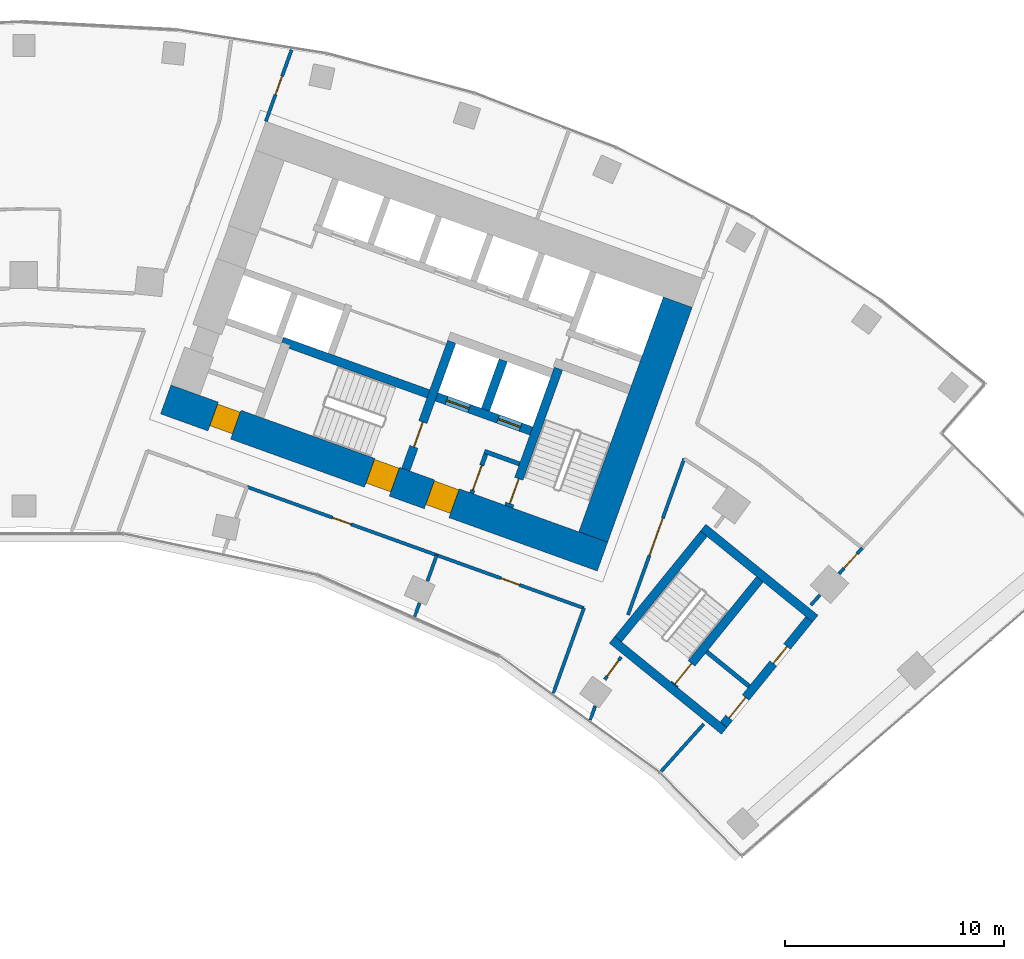
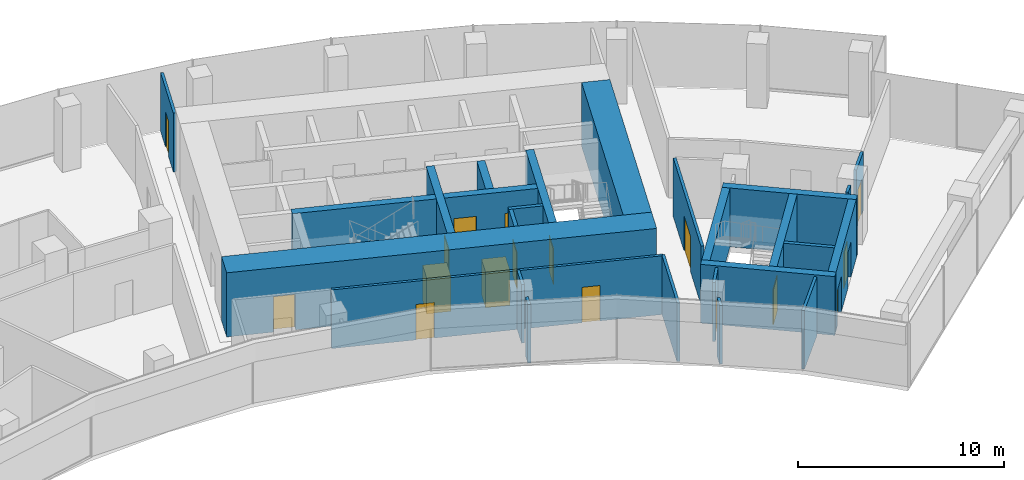
# One storey, part 16 of 20: 26 walls, 17 doors, 17 openings.
"""IFC4 building model written with IfcOpenShell, lengths in metres."""

import ifcopenshell
import ifcopenshell.guid

model = None  # the IFC model being written
_history = None  # IfcOwnerHistory: only IFC2X3 demands one
_inside = {}  # id of a spatial element -> (the spatial element, [elements in it])
_under = {}  # id of a project, library or spatial element -> (it, [spatial elements below it])
_declared = {}  # id of a project -> (the project, [libraries it declares])
_typed = {}  # id of a type object -> (the type object, [elements of that type])
_made_of = {}  # id of a material, layer set ... -> (it, [elements and type objects made of it])


def new_model(schema):
    """Start an empty IFC model of exactly this schema.

    Asked for "IFC4X3", IfcOpenShell would pick the latest addendum, in which some entities
    have other attributes; the version numbers below select the first issue.
    IFC2X3 requires an IfcOwnerHistory on every rooted entity: one is made here for all.
    """
    global model, _history
    if schema == "IFC4X3":
        model = ifcopenshell.file(schema_version=(4, 3, 0, 0))
    else:
        model = ifcopenshell.file(schema=schema)
    _inside.clear()
    _under.clear()
    _declared.clear()
    _typed.clear()
    _made_of.clear()
    _history = None
    if model.schema == "IFC2X3":
        org = make("IfcOrganization", Name="unknown")
        user = make(
            "IfcPersonAndOrganization",
            ThePerson=make("IfcPerson", FamilyName="unknown"),
            TheOrganization=org,
        )
        app = make(
            "IfcApplication",
            ApplicationDeveloper=org,
            Version="unknown",
            ApplicationFullName="unknown",
            ApplicationIdentifier="unknown",
        )
        _history = make(
            "IfcOwnerHistory",
            OwningUser=user,
            OwningApplication=app,
            ChangeAction="ADDED",
            CreationDate=0,
        )
    return model


def make(cls, **values):
    """One entity of the class cls with the attributes given. An attribute that is None is left unset."""
    return model.create_entity(
        cls, **{name: value for name, value in values.items() if value is not None}
    )


def rooted(cls, **values):
    """An entity with a GlobalId (a new one), such as an element, a storey or a relation."""
    return make(cls, GlobalId=ifcopenshell.guid.new(), OwnerHistory=_history, **values)


def si_unit(unit_type, name, prefix=None):
    """IfcSIUnit, for example si_unit("LENGTHUNIT", "METRE", prefix="MILLI")."""
    return make("IfcSIUnit", UnitType=unit_type, Prefix=prefix, Name=name)


def assignment(units):
    """IfcUnitAssignment: the units of a project."""
    return None if units is None else make("IfcUnitAssignment", Units=units)


def point(xyz):
    """IfcCartesianPoint."""
    return None if xyz is None else make("IfcCartesianPoint", Coordinates=xyz)


def direction(xyz):
    """IfcDirection."""
    return None if xyz is None else make("IfcDirection", DirectionRatios=xyz)


def frame(location, z_axis=None, x_axis=None):
    """IfcAxis2Placement3D, a coordinate frame: its origin and axes. An axis left out is left unset."""
    return make(
        "IfcAxis2Placement3D",
        Location=point(location),
        Axis=direction(z_axis),
        RefDirection=direction(x_axis),
    )


def frame_2d(location, x_axis=None):
    """IfcAxis2Placement2D, a coordinate frame in the plane: its origin and x axis."""
    return make(
        "IfcAxis2Placement2D", Location=point(location), RefDirection=direction(x_axis)
    )


def origin():
    """The frame at (0, 0, 0) with its axes left unset."""
    return frame((0.0, 0.0, 0.0))


def place(relative_to, where):
    """IfcLocalPlacement: puts the frame where relative to a parent placement (None: the world)."""
    return make(
        "IfcLocalPlacement", PlacementRelTo=relative_to, RelativePlacement=where
    )


def context(
    kind, dimensions, precision=None, world=None, true_north=None, identifier=None
):
    """IfcGeometricRepresentationContext, for example the 3D "Model" context."""
    return make(
        "IfcGeometricRepresentationContext",
        ContextIdentifier=identifier,
        ContextType=kind,
        CoordinateSpaceDimension=dimensions,
        Precision=precision,
        WorldCoordinateSystem=world,
        TrueNorth=true_north,
    )


def subcontext(parent, identifier, kind, view, scale=None):
    """IfcGeometricRepresentationSubContext, for example "Body" below "Model"."""
    return make(
        "IfcGeometricRepresentationSubContext",
        ContextIdentifier=identifier,
        ContextType=kind,
        ParentContext=parent,
        TargetScale=scale,
        TargetView=view,
    )


def project(units=None, contexts=None):
    """IfcProject with its units and contexts."""
    return rooted(
        "IfcProject",
        Name="project",
        RepresentationContexts=contexts,
        UnitsInContext=assignment(units),
    )


def spatial(cls, under=None, at=None, **own):
    """A site, building, storey or space (cls), placed at a placement, below another one or the project."""
    s = rooted(cls, ObjectPlacement=at, **own)
    if under is not None:
        _under.setdefault(under.id(), (under, []))[1].append(s)
    return s


def profile(cls, at=None, kind="AREA", **sizes):
    """A parametric profile (cls). Its sizes go by their IFC names, for example OverallWidth=200.0."""
    return make(cls, ProfileType=kind, Position=at, **sizes)


def rectangle(**sizes):
    """IfcRectangleProfileDef."""
    return profile("IfcRectangleProfileDef", **sizes)


def extrude(swept, where, along, depth):
    """IfcExtrudedAreaSolid: the profile swept, set in the frame where, extruded along a direction by depth."""
    return make(
        "IfcExtrudedAreaSolid",
        SweptArea=swept,
        Position=where,
        ExtrudedDirection=direction(along),
        Depth=depth,
    )


def shape(context_of_items, identifier, shape_type, items):
    """IfcShapeRepresentation: the items that make up one representation, for example the "Body"."""
    return make(
        "IfcShapeRepresentation",
        ContextOfItems=context_of_items,
        RepresentationIdentifier=identifier,
        RepresentationType=shape_type,
        Items=items,
    )


def material(Name=None, Category=None):
    """IfcMaterial."""
    return make("IfcMaterial", Name=Name, Category=Category)


def layer(
    of_material, thickness, ventilated=None, Name=None, Category=None, Priority=None
):
    """IfcMaterialLayer: one layer of a wall or slab, of a material (None: an air gap)."""
    return make(
        "IfcMaterialLayer",
        Material=of_material,
        LayerThickness=thickness,
        IsVentilated=ventilated,
        Name=Name,
        Category=Category,
        Priority=Priority,
    )


def layer_set(layers, Name=None):
    """IfcMaterialLayerSet."""
    return make("IfcMaterialLayerSet", MaterialLayers=layers, LayerSetName=Name)


def made_of(thing, what):
    """Note that an element or type object is made of a material, layer set ...; save() writes the relation."""
    if what is not None:
        _made_of.setdefault(what.id(), (what, []))[1].append(thing)
    return thing


def type_object(cls, material=None, **own):
    """A type object (cls), such as IfcWallType, which elements share."""
    return made_of(rooted(cls, **own), material)


def element(
    cls,
    number,
    at=None,
    inside=None,
    cuts=None,
    type_object=None,
    material=None,
    context=None,
    identifier="Body",
    shape_type=None,
    held_by="IfcProductDefinitionShape",
    body=None,
    shapes=None,
    **own,
):
    """One element of the class cls, such as IfcWall. Its Tag is "e" and its number.

    at: its placement. inside: the storey or other place that contains it. cuts: it is an
    opening in that element (IfcRelVoidsElement). A single representation is given by context,
    identifier, shape_type and body (its items); several are given by shapes. held_by: the class
    of the entity that holds the representations. save() writes the other relations.
    """
    e = rooted(cls, Tag="e%d" % number, ObjectPlacement=at, **own)
    if body is not None:
        shapes = [shape(context, identifier, shape_type, body)]
    if shapes is not None:
        e.Representation = make(held_by, Representations=shapes)
    if inside is not None:
        _inside.setdefault(inside.id(), (inside, []))[1].append(e)
    if cuts is not None:
        rooted(
            "IfcRelVoidsElement", RelatingBuildingElement=cuts, RelatedOpeningElement=e
        )
    if type_object is not None:
        _typed.setdefault(type_object.id(), (type_object, []))[1].append(e)
    return made_of(e, material)


def fill(opening, filler):
    """IfcRelFillsElement: the door or window that sits in an opening."""
    return rooted(
        "IfcRelFillsElement",
        RelatingOpeningElement=opening,
        RelatedBuildingElement=filler,
    )


def aggregate(whole, parts):
    """IfcRelAggregates: a whole, such as a stair, and the parts it consists of."""
    return rooted("IfcRelAggregates", RelatingObject=whole, RelatedObjects=parts)


def save(model, path):
    """Write the relations noted so far, then the file.

    IfcRelAggregates (storeys below a building ...), IfcRelContainedInSpatialStructure (elements
    in a storey), IfcRelDefinesByType, IfcRelAssociatesMaterial and IfcRelDeclares: one each for
    every whole, place, type object, material and project.
    """
    for whole, parts in _under.values():
        aggregate(whole, parts)
    for where, things in _inside.values():
        rooted(
            "IfcRelContainedInSpatialStructure",
            RelatedElements=things,
            RelatingStructure=where,
        )
    for kind, things in _typed.values():
        rooted("IfcRelDefinesByType", RelatedObjects=things, RelatingType=kind)
    for what, things in _made_of.values():
        rooted("IfcRelAssociatesMaterial", RelatedObjects=things, RelatingMaterial=what)
    for by, libraries in _declared.values():
        rooted("IfcRelDeclares", RelatingContext=by, RelatedDefinitions=libraries)
    model.write(path)


model = new_model("IFC4")

# Units and contexts
model_context = context("Model", 3, precision=1e-05, world=origin(), true_north=direction((0.0, 1.0)))
body_context = subcontext(model_context, "Body", "Model", "MODEL_VIEW")
ifc_project = project(units=[si_unit("LENGTHUNIT", "METRE"), si_unit("AREAUNIT", "SQUARE_METRE"), si_unit("VOLUMEUNIT", "CUBIC_METRE"), si_unit("PLANEANGLEUNIT", "RADIAN"), si_unit("MASSUNIT", "GRAM", prefix="KILO")], contexts=[model_context])

# Site, building, storey
site_placement = place(None, origin())
site = spatial("IfcSite", under=ifc_project, at=site_placement, CompositionType="ELEMENT")
building_placement = place(site_placement, origin())
building = spatial("IfcBuilding", under=site, at=building_placement, Name="Stone Belt Terrace Tower", CompositionType="ELEMENT")
storey_placement = place(building_placement, frame((0.0, 0.0, 174.39990234375)))
storey = spatial("IfcBuildingStorey", under=building, at=storey_placement, Name="L42", CompositionType="ELEMENT", Elevation=174.39990234375)

# Wall, openings, doors
ifc_material_1 = material(Name="Concrete B80", Category="concrete")
ifc_layer_1 = layer(ifc_material_1, 1.39990234375)
ifc_layer_set_1 = layer_set([ifc_layer_1], Name="Core wall 1400 B80")
wall_type_1 = type_object("IfcWallType", Name="Core wall 1400 B80", PredefinedType="SHEAR", material=ifc_layer_set_1)
wall_1_placement = place(storey_placement, frame((6.4833984375, 49.318115234375, 0.0), z_axis=(0.0, 0.0, 1.0), x_axis=(0.940923374003, -0.33861955681, 0.0)))
wall_1 = element("IfcWall", 1, at=wall_1_placement, inside=storey, type_object=wall_type_1, Name="Core B wall concave L42", PredefinedType="SHEAR", context=body_context, shape_type="SweptSolid", body=[
    extrude(rectangle(XDim=21.199951171875, YDim=1.39990234375, at=frame_2d((10.60009765625, 0.0))), origin(), (0.0, 0.0, 1.0), 3.800048828125),
])
opening_1_placement = place(wall_1_placement, frame((12.800048828125, 0.0, 0.0)))
opening_1 = element("IfcOpeningElement", 2, at=opening_1_placement, cuts=wall_1, Name="Opening L42-C18", PredefinedType="OPENING", context=body_context, shape_type="SweptSolid", body=[
    extrude(rectangle(XDim=1.199951171875, YDim=2.10009765625, at=frame_2d((0.60009765625, 1.050048828125))), frame((0.0, 0.7099609375, 0.0), z_axis=(0.0, -1.0, 0.0), x_axis=(1.0, 0.0, 0.0)), (0.0, 0.0, 1.0), 1.419921875),
])
opening_2_placement = place(wall_1_placement, frame((9.89990234375, 0.0, 0.0)))
opening_2 = element("IfcOpeningElement", 3, at=opening_2_placement, cuts=wall_1, Name="Opening L42-C20", PredefinedType="OPENING", context=body_context, shape_type="SweptSolid", body=[
    extrude(rectangle(XDim=1.199951171875, YDim=2.10009765625, at=frame_2d((0.60009765625, 1.050048828125))), frame((0.0, 0.7099609375, 0.0), z_axis=(0.0, -1.0, 0.0), x_axis=(1.0, 0.0, 0.0)), (0.0, 0.0, 1.0), 1.419921875),
])
opening_3_placement = place(wall_1_placement, frame((2.300048828125, 0.0, 0.0)))
opening_3 = element("IfcOpeningElement", 4, at=opening_3_placement, cuts=wall_1, Name="Opening L42-C22", PredefinedType="OPENING", context=body_context, shape_type="SweptSolid", body=[
    extrude(rectangle(XDim=1.10009765625, YDim=2.10009765625, at=frame_2d((0.550048828125, 1.050048828125))), frame((0.0, 0.7099609375, 0.0), z_axis=(0.0, -1.0, 0.0), x_axis=(1.0, 0.0, 0.0)), (0.0, 0.0, 1.0), 1.419921875),
])
ifc_material_2 = material(Name="Timber door leaf", Category="wood")
door_type_1 = type_object("IfcDoorType", Name="Core room door 1100", OperationType="SINGLE_SWING_LEFT", PredefinedType="DOOR", material=ifc_material_2)
door_1_placement = place(opening_3_placement, origin())
door_1 = element("IfcDoor", 5, at=door_1_placement, inside=storey, type_object=door_type_1, Name="Door to Pipe riser core B", OperationType="SINGLE_SWING_RIGHT", OverallHeight=2.10009765625, OverallWidth=1.10009765625, PredefinedType="DOOR", context=body_context, shape_type="SweptSolid", body=[
    extrude(rectangle(XDim=1.10009765625, YDim=2.10009765625, at=frame_2d((0.550048828125, 1.050048828125))), frame((0.0, 0.60498046875, 0.0), z_axis=(0.0, -1.0, 0.0), x_axis=(1.0, 0.0, 0.0)), (0.0, 0.0, 1.0), 1.050048828125),
])
fill(opening_3, door_1)
ifc_material_3 = material(Name="Steel door leaf", Category="steel")
door_type_2 = type_object("IfcDoorType", Name="Fire-fighting lobby door 1200", OperationType="SINGLE_SWING_LEFT", PredefinedType="DOOR", material=ifc_material_3)
door_2_placement = place(opening_1_placement, origin())
door_2 = element("IfcDoor", 6, at=door_2_placement, inside=storey, type_object=door_type_2, Name="Fire-fighting lobby door core B", OperationType="SINGLE_SWING_RIGHT", OverallHeight=2.10009765625, OverallWidth=1.199951171875, PredefinedType="DOOR", context=body_context, shape_type="SweptSolid", body=[
    extrude(rectangle(XDim=1.199951171875, YDim=2.10009765625, at=frame_2d((0.60009765625, 1.050048828125))), frame((0.0, 0.655029296875, 0.0), z_axis=(0.0, -1.0, 0.0), x_axis=(1.0, 0.0, 0.0)), (0.0, 0.0, 1.0), 1.14990234375),
])
fill(opening_1, door_2)
door_type_3 = type_object("IfcDoorType", Name="Stair door 1200", OperationType="SINGLE_SWING_LEFT", PredefinedType="DOOR", material=ifc_material_3)
door_3_placement = place(opening_2_placement, origin())
door_3 = element("IfcDoor", 7, at=door_3_placement, inside=storey, type_object=door_type_3, Name="Stair 2 exit door core B", OperationType="SINGLE_SWING_LEFT", OverallHeight=2.10009765625, OverallWidth=1.199951171875, PredefinedType="DOOR", context=body_context, shape_type="SweptSolid", body=[
    extrude(rectangle(XDim=1.199951171875, YDim=2.10009765625, at=frame_2d((0.60009765625, 1.050048828125))), frame((0.0, 0.655029296875, 0.0), z_axis=(0.0, -1.0, 0.0), x_axis=(1.0, 0.0, 0.0)), (0.0, 0.0, 1.0), 1.14990234375),
])
fill(opening_2, door_3)

# Walls
wall_2_placement = place(storey_placement, frame((26.00927734375, 43.03515625, 0.0), z_axis=(0.0, 0.0, 1.0), x_axis=(0.338625431531, 0.940921259788, 0.0)))
element("IfcWall", 8, at=wall_2_placement, inside=storey, type_object=wall_type_1, Name="Core B wall end_b L42", PredefinedType="SHEAR", context=body_context, shape_type="SweptSolid", body=[
    extrude(rectangle(XDim=11.400146484375, YDim=1.39990234375, at=frame_2d((5.7001953125, 0.0))), origin(), (0.0, 0.0, 1.0), 3.800048828125),
])
ifc_layer_2 = layer(ifc_material_1, 0.39990234375)
ifc_layer_set_2 = layer_set([ifc_layer_2], Name="Fire-fighting lift shaft wall 400")
wall_type_2 = type_object("IfcWallType", Name="Fire-fighting lift shaft wall 400", PredefinedType="SHEAR", material=ifc_layer_set_2)
wall_3_placement = place(storey_placement, frame((21.0859375, 48.845458984375, 0.0), z_axis=(0.0, 0.0, 1.0), x_axis=(0.338629416206, 0.940919825745, 0.0)))
element("IfcWall", 9, at=wall_3_placement, inside=storey, type_object=wall_type_2, Name="Core B wall", PredefinedType="SHEAR", context=body_context, shape_type="SweptSolid", body=[
    extrude(rectangle(XDim=2.400146484375, YDim=0.39990234375, at=frame_2d((1.2001953125, 0.0))), origin(), (0.0, 0.0, 1.0), 3.47998046875),
])

# Wall, opening, door
ifc_material_4 = material(Name="Gypsum board partition")
ifc_layer_3 = layer(ifc_material_4, 0.14990234375)
ifc_layer_set_3 = layer_set([ifc_layer_3], Name="PARTITION 150 EI 60")
wall_type_3 = type_object("IfcWallType", Name="PARTITION 150 EI 60", PredefinedType="PARTITIONING", material=ifc_layer_set_3)
wall_4_placement = place(storey_placement, frame((12.23486328125, 65.296142578125, 0.0), z_axis=(0.0, 0.0, 1.0), x_axis=(-0.338942963923, -0.940806923448, 0.0)))
wall_4 = element("IfcWall", 10, at=wall_4_placement, inside=storey, type_object=wall_type_3, Name="L42/wall/i022", PredefinedType="PARTITIONING", context=body_context, shape_type="SweptSolid", body=[
    extrude(rectangle(XDim=3.481201171875, YDim=0.14990234375, at=frame_2d((1.74072265625, 0.0))), origin(), (0.0, 0.0, 1.0), 3.47998046875),
])
opening_4_placement = place(wall_4_placement, frame((1.29052734375, 0.0, 0.0)))
opening_4 = element("IfcOpeningElement", 11, at=opening_4_placement, cuts=wall_4, Name="Opening D-C3-09", PredefinedType="OPENING", context=body_context, shape_type="SweptSolid", body=[
    extrude(rectangle(XDim=0.89990234375, YDim=2.10009765625, at=frame_2d((0.449951171875, 1.050048828125))), frame((0.0, 0.0849609375, 0.0), z_axis=(0.0, -1.0, 0.0), x_axis=(1.0, 0.0, 0.0)), (0.0, 0.0, 1.0), 0.169921875),
])
door_type_4 = type_object("IfcDoorType", Name="OFFICE DOOR 900 X 2100", OperationType="NOTDEFINED", PredefinedType="DOOR", material=ifc_material_2)
door_4_placement = place(opening_4_placement, origin())
door_4 = element("IfcDoor", 12, at=door_4_placement, inside=storey, type_object=door_type_4, Name="L42/door/i09", OperationType="SINGLE_SWING_RIGHT", OverallHeight=2.10009765625, OverallWidth=0.89990234375, PredefinedType="DOOR", context=body_context, shape_type="SweptSolid", body=[
    extrude(rectangle(XDim=0.89990234375, YDim=2.10009765625, at=frame_2d((0.449951171875, 1.050048828125))), frame((0.0, 0.02490234375, 0.0), z_axis=(0.0, -1.0, 0.0), x_axis=(1.0, 0.0, 0.0)), (0.0, 0.0, 1.0), 0.050048828125),
])
fill(opening_4, door_4)

# Wall
wall_5_placement = place(storey_placement, frame((24.18603515625, 35.902099609375, 0.0), z_axis=(0.0, 0.0, 1.0), x_axis=(0.338545933013, 0.940949866486, 0.0)))
element("IfcWall", 13, at=wall_5_placement, inside=storey, type_object=wall_type_3, Name="L42/wall/i026", PredefinedType="PARTITIONING", context=body_context, shape_type="SweptSolid", body=[
    extrude(rectangle(XDim=4.135009765625, YDim=0.14990234375, at=frame_2d((2.0673828125, 0.0))), origin(), (0.0, 0.0, 1.0), 3.47998046875),
])

# Wall, opening, door
wall_6_placement = place(storey_placement, frame((30.1669921875, 46.612060546875, 0.0), z_axis=(0.0, 0.0, 1.0), x_axis=(-0.338694393991, -0.940896438233, 0.0)))
wall_6 = element("IfcWall", 14, at=wall_6_placement, inside=storey, type_object=wall_type_3, Name="L42/wall/i028", PredefinedType="PARTITIONING", context=body_context, shape_type="SweptSolid", body=[
    extrude(rectangle(XDim=7.585205078125, YDim=0.14990234375, at=frame_2d((3.79248046875, 0.0))), origin(), (0.0, 0.0, 1.0), 3.47998046875),
])
opening_5_placement = place(wall_6_placement, frame((2.892578125, 0.0, 0.0)))
opening_5 = element("IfcOpeningElement", 15, at=opening_5_placement, cuts=wall_6, Name="Opening D-C3-20", PredefinedType="OPENING", context=body_context, shape_type="SweptSolid", body=[
    extrude(rectangle(XDim=1.800048828125, YDim=2.10009765625, at=frame_2d((0.89990234375, 1.050048828125))), frame((0.0, 0.0849609375, 0.0), z_axis=(0.0, -1.0, 0.0), x_axis=(1.0, 0.0, 0.0)), (0.0, 0.0, 1.0), 0.169921875),
])
door_type_5 = type_object("IfcDoorType", Name="DOUBLE DOOR 1800 X 2100", OperationType="DOUBLE_DOOR_SINGLE_SWING", PredefinedType="DOOR", material=ifc_material_2)
door_5_placement = place(opening_5_placement, origin())
door_5 = element("IfcDoor", 16, at=door_5_placement, inside=storey, type_object=door_type_5, Name="L42/door/i20", OperationType="DOUBLE_DOOR_SINGLE_SWING", OverallHeight=2.10009765625, OverallWidth=1.800048828125, PredefinedType="DOOR", context=body_context, shape_type="SweptSolid", body=[
    extrude(rectangle(XDim=1.800048828125, YDim=2.10009765625, at=frame_2d((0.89990234375, 1.050048828125))), frame((0.0, 0.02490234375, 0.0), z_axis=(0.0, -1.0, 0.0), x_axis=(1.0, 0.0, 0.0)), (0.0, 0.0, 1.0), 0.050048828125),
])
fill(opening_5, door_5)

wall_7_placement = place(storey_placement, frame((27.282958984375, 37.552001953125, 0.0), z_axis=(0.0, 0.0, 1.0), x_axis=(-0.587851817093, -0.808968628032, 0.0)))
wall_7 = element("IfcWall", 17, at=wall_7_placement, inside=storey, type_object=wall_type_3, Name="L42/wall/i029", PredefinedType="PARTITIONING", context=body_context, shape_type="SweptSolid", body=[
    extrude(rectangle(XDim=1.270751953125, YDim=0.14990234375, at=frame_2d((0.63525390625, 0.0))), origin(), (0.0, 0.0, 1.0), 3.47998046875),
])
opening_6_placement = place(wall_7_placement, frame((0.185302734375, 0.0, 0.0)))
opening_6 = element("IfcOpeningElement", 18, at=opening_6_placement, cuts=wall_7, Name="Opening D-C3-21", PredefinedType="OPENING", context=body_context, shape_type="SweptSolid", body=[
    extrude(rectangle(XDim=0.89990234375, YDim=2.10009765625, at=frame_2d((0.449951171875, 1.050048828125))), frame((0.0, 0.0849609375, 0.0), z_axis=(0.0, -1.0, 0.0), x_axis=(1.0, 0.0, 0.0)), (0.0, 0.0, 1.0), 0.169921875),
])
ifc_material_5 = material(Name="Timber fire door leaf", Category="wood")
door_type_6 = type_object("IfcDoorType", Name="TENANCY ENTRANCE DOOR 900 X 2100", OperationType="NOTDEFINED", PredefinedType="DOOR", material=ifc_material_5)
door_6_placement = place(opening_6_placement, origin())
door_6 = element("IfcDoor", 19, at=door_6_placement, inside=storey, type_object=door_type_6, Name="L42/door/i21", OperationType="SINGLE_SWING_RIGHT", OverallHeight=2.10009765625, OverallWidth=0.89990234375, PredefinedType="DOOR", context=body_context, shape_type="SweptSolid", body=[
    extrude(rectangle(XDim=0.89990234375, YDim=2.10009765625, at=frame_2d((0.449951171875, 1.050048828125))), frame((0.0, 0.02490234375, 0.0), z_axis=(0.0, -1.0, 0.0), x_axis=(1.0, 0.0, 0.0)), (0.0, 0.0, 1.0), 0.050048828125),
])
fill(opening_6, door_6)

# Wall
wall_8_placement = place(storey_placement, frame((26.101318359375, 35.318115234375, 0.0), z_axis=(0.0, 0.0, 1.0), x_axis=(-0.339176971689, -0.940722584972, 0.0)))
element("IfcWall", 20, at=wall_8_placement, inside=storey, type_object=wall_type_3, Name="L42/wall/i030", PredefinedType="PARTITIONING", context=body_context, shape_type="SweptSolid", body=[
    extrude(rectangle(XDim=0.68017578125, YDim=0.14990234375, at=frame_2d((0.340087890625, 0.0))), origin(), (0.0, 0.0, 1.0), 3.47998046875),
])

# Wall, opening, door
wall_9_placement = place(storey_placement, frame((18.867919921875, 42.2041015625, 0.0), z_axis=(0.0, 0.0, 1.0), x_axis=(-0.940925552153, 0.338613504317, 0.0)))
wall_9 = element("IfcWall", 21, at=wall_9_placement, inside=storey, type_object=wall_type_3, Name="L42/wall/i033", PredefinedType="PARTITIONING", context=body_context, shape_type="SweptSolid", body=[
    extrude(rectangle(XDim=9.219482421875, YDim=0.14990234375, at=frame_2d((4.60986328125, 0.0))), origin(), (0.0, 0.0, 1.0), 3.47998046875),
])
opening_7_placement = place(wall_9_placement, frame((4.159912109375, 0.0, 0.0)))
opening_7 = element("IfcOpeningElement", 22, at=opening_7_placement, cuts=wall_9, Name="Opening D-C3-07", PredefinedType="OPENING", context=body_context, shape_type="SweptSolid", body=[
    extrude(rectangle(XDim=0.89990234375, YDim=2.10009765625, at=frame_2d((0.449951171875, 1.050048828125))), frame((0.0, 0.0849609375, 0.0), z_axis=(0.0, -1.0, 0.0), x_axis=(1.0, 0.0, 0.0)), (0.0, 0.0, 1.0), 0.169921875),
])
door_7_placement = place(opening_7_placement, origin())
door_7 = element("IfcDoor", 23, at=door_7_placement, inside=storey, type_object=door_type_4, Name="L42/door/i07", OperationType="SINGLE_SWING_RIGHT", OverallHeight=2.10009765625, OverallWidth=0.89990234375, PredefinedType="DOOR", context=body_context, shape_type="SweptSolid", body=[
    extrude(rectangle(XDim=0.89990234375, YDim=2.10009765625, at=frame_2d((0.449951171875, 1.050048828125))), frame((0.0, 0.02490234375, 0.0), z_axis=(0.0, -1.0, 0.0), x_axis=(1.0, 0.0, 0.0)), (0.0, 0.0, 1.0), 0.050048828125),
])
fill(opening_7, door_7)

wall_10_placement = place(storey_placement, frame((25.583984375, 39.787109375, 0.0), z_axis=(0.0, 0.0, 1.0), x_axis=(-0.940940502456, 0.338571958138, 0.0)))
wall_10 = element("IfcWall", 24, at=wall_10_placement, inside=storey, type_object=wall_type_3, Name="L42/wall/i034", PredefinedType="PARTITIONING", context=body_context, shape_type="SweptSolid", body=[
    extrude(rectangle(XDim=7.150390625, YDim=0.14990234375, at=frame_2d((3.5751953125, 0.0))), origin(), (0.0, 0.0, 1.0), 3.47998046875),
])
opening_8_placement = place(wall_10_placement, frame((3.125244140625, 0.0, 0.0)))
opening_8 = element("IfcOpeningElement", 25, at=opening_8_placement, cuts=wall_10, Name="Opening D-C3-08", PredefinedType="OPENING", context=body_context, shape_type="SweptSolid", body=[
    extrude(rectangle(XDim=0.89990234375, YDim=2.10009765625, at=frame_2d((0.449951171875, 1.050048828125))), frame((0.0, 0.0849609375, 0.0), z_axis=(0.0, -1.0, 0.0), x_axis=(1.0, 0.0, 0.0)), (0.0, 0.0, 1.0), 0.169921875),
])
door_8_placement = place(opening_8_placement, origin())
door_8 = element("IfcDoor", 26, at=door_8_placement, inside=storey, type_object=door_type_4, Name="L42/door/i08", OperationType="SINGLE_SWING_RIGHT", OverallHeight=2.10009765625, OverallWidth=0.89990234375, PredefinedType="DOOR", context=body_context, shape_type="SweptSolid", body=[
    extrude(rectangle(XDim=0.89990234375, YDim=2.10009765625, at=frame_2d((0.449951171875, 1.050048828125))), frame((0.0, 0.02490234375, 0.0), z_axis=(0.0, -1.0, 0.0), x_axis=(1.0, 0.0, 0.0)), (0.0, 0.0, 1.0), 0.050048828125),
])
fill(opening_8, door_8)

# Walls
wall_11_placement = place(storey_placement, frame((18.862060546875, 42.2060546875, 0.0), z_axis=(0.0, 0.0, 1.0), x_axis=(-0.33862320922, -0.940922059566, 0.0)))
element("IfcWall", 27, at=wall_11_placement, inside=storey, type_object=wall_type_3, Name="L42/wall/i037", PredefinedType="PARTITIONING", context=body_context, shape_type="SweptSolid", body=[
    extrude(rectangle(XDim=1.25732421875, YDim=0.14990234375, at=frame_2d((0.628662109375, 0.0))), origin(), (0.0, 0.0, 1.0), 3.47998046875),
])
wall_12_placement = place(storey_placement, frame((18.076416015625, 40.022705078125, 0.0), z_axis=(0.0, 0.0, 1.0), x_axis=(-0.338508237964, -0.940963427998, 0.0)))
element("IfcWall", 28, at=wall_12_placement, inside=storey, type_object=wall_type_3, Name="L42/wall/i038", PredefinedType="PARTITIONING", context=body_context, shape_type="SweptSolid", body=[
    extrude(rectangle(XDim=0.65478515625, YDim=0.14990234375, at=frame_2d((0.327392578125, 0.0))), origin(), (0.0, 0.0, 1.0), 3.47998046875),
])
wall_13_placement = place(storey_placement, frame((35.946044921875, 39.922119140625, 0.0), z_axis=(0.0, 0.0, 1.0), x_axis=(0.669202254409, 0.743080307028, 0.0)))
element("IfcWall", 29, at=wall_13_placement, inside=storey, type_object=wall_type_3, Name="L42/wall/i062", PredefinedType="PARTITIONING", context=body_context, shape_type="SweptSolid", body=[
    extrude(rectangle(XDim=0.62451171875, YDim=0.14990234375, at=frame_2d((0.312255859375, 0.0))), origin(), (0.0, 0.0, 1.0), 3.47998046875),
])

# Wall, opening, door
wall_14_placement = place(storey_placement, frame((38.294921875, 42.530029296875, 0.0), z_axis=(0.0, 0.0, 1.0), x_axis=(-0.669255825658, -0.743032058408, 0.0)))
wall_14 = element("IfcWall", 30, at=wall_14_placement, inside=storey, type_object=wall_type_3, Name="L42/wall/i063", PredefinedType="PARTITIONING", context=body_context, shape_type="SweptSolid", body=[
    extrude(rectangle(XDim=1.5751953125, YDim=0.14990234375, at=frame_2d((0.78759765625, 0.0))), origin(), (0.0, 0.0, 1.0), 3.47998046875),
])
opening_9_placement = place(wall_14_placement, frame((0.337646484375, 0.0, 0.0)))
opening_9 = element("IfcOpeningElement", 31, at=opening_9_placement, cuts=wall_14, Name="Opening D-C3-19", PredefinedType="OPENING", context=body_context, shape_type="SweptSolid", body=[
    extrude(rectangle(XDim=0.89990234375, YDim=2.10009765625, at=frame_2d((0.449951171875, 1.050048828125))), frame((0.0, 0.0849609375, 0.0), z_axis=(0.0, -1.0, 0.0), x_axis=(1.0, 0.0, 0.0)), (0.0, 0.0, 1.0), 0.169921875),
])
door_9_placement = place(opening_9_placement, origin())
door_9 = element("IfcDoor", 32, at=door_9_placement, inside=storey, type_object=door_type_6, Name="L42/door/i19", OperationType="SINGLE_SWING_RIGHT", OverallHeight=2.10009765625, OverallWidth=0.89990234375, PredefinedType="DOOR", context=body_context, shape_type="SweptSolid", body=[
    extrude(rectangle(XDim=0.89990234375, YDim=2.10009765625, at=frame_2d((0.449951171875, 1.050048828125))), frame((0.0, 0.02490234375, 0.0), z_axis=(0.0, -1.0, 0.0), x_axis=(1.0, 0.0, 0.0)), (0.0, 0.0, 1.0), 0.050048828125),
])
fill(opening_9, door_9)

# Walls
wall_15_placement = place(storey_placement, frame((29.107177734375, 32.32666015625, 0.0), z_axis=(0.0, 0.0, 1.0), x_axis=(0.669108362487, 0.743164853347, 0.0)))
element("IfcWall", 33, at=wall_15_placement, inside=storey, type_object=wall_type_3, Name="L42/wall/i064", PredefinedType="PARTITIONING", context=body_context, shape_type="SweptSolid", body=[
    extrude(rectangle(XDim=2.910888671875, YDim=0.14990234375, at=frame_2d((1.45556640625, 0.0))), origin(), (0.0, 0.0, 1.0), 3.47998046875),
])
ifc_material_6 = material(Name="Concrete masonry block", Category="masonry")
ifc_layer_4 = layer(ifc_material_6, 0.199951171875)
ifc_layer_set_4 = layer_set([ifc_layer_4], Name="Rated lobby wall 200")
wall_type_4 = type_object("IfcWallType", Name="Rated lobby wall 200", PredefinedType="PARTITIONING", material=ifc_layer_set_4)
wall_16_placement = place(storey_placement, frame((22.640625, 46.373046875, 0.0), z_axis=(0.0, 0.0, 1.0), x_axis=(-0.940966110313, 0.338500781747, 0.0)))
element("IfcWall", 34, at=wall_16_placement, inside=storey, type_object=wall_type_4, Name="Core B wall", PredefinedType="PARTITIONING", context=body_context, shape_type="SweptSolid", body=[
    extrude(rectangle(XDim=1.699951171875, YDim=0.199951171875, at=frame_2d((0.85009765625, 0.0))), origin(), (0.0, 0.0, 1.0), 3.47998046875),
])

# Wall, opening, door
wall_17_placement = place(storey_placement, frame((20.4580078125, 45.032958984375, 0.0), z_axis=(0.0, 0.0, 1.0), x_axis=(0.338573865316, 0.940939816208, 0.0)))
wall_17 = element("IfcWall", 35, at=wall_17_placement, inside=storey, type_object=wall_type_4, Name="Core B wall", PredefinedType="PARTITIONING", context=body_context, shape_type="SweptSolid", body=[
    extrude(rectangle(XDim=1.900146484375, YDim=0.199951171875, at=frame_2d((0.9501953125, 0.0))), origin(), (0.0, 0.0, 1.0), 3.47998046875),
])
opening_10_placement = place(wall_17_placement, frame((0.14990234375, 0.0, 0.0)))
opening_10 = element("IfcOpeningElement", 36, at=opening_10_placement, cuts=wall_17, Name="Opening L42-C17", PredefinedType="OPENING", context=body_context, shape_type="SweptSolid", body=[
    extrude(rectangle(XDim=1.199951171875, YDim=2.10009765625, at=frame_2d((0.60009765625, 1.050048828125))), frame((0.0, 0.10986328125, 0.0), z_axis=(0.0, -1.0, 0.0), x_axis=(1.0, 0.0, 0.0)), (0.0, 0.0, 1.0), 0.219970703125),
])
door_10_placement = place(opening_10_placement, origin())
door_10 = element("IfcDoor", 37, at=door_10_placement, inside=storey, type_object=door_type_3, Name="Stair airlock door core B", OperationType="SINGLE_SWING_RIGHT", OverallHeight=2.10009765625, OverallWidth=1.199951171875, PredefinedType="DOOR", context=body_context, shape_type="SweptSolid", body=[
    extrude(rectangle(XDim=1.199951171875, YDim=2.10009765625, at=frame_2d((0.60009765625, 1.050048828125))), frame((0.0, 0.02490234375, 0.0), z_axis=(0.0, -1.0, 0.0), x_axis=(1.0, 0.0, 0.0)), (0.0, 0.0, 1.0), 0.050048828125),
])
fill(opening_10, door_10)

# Wall
wall_18_placement = place(storey_placement, frame((31.190673828125, 37.79296875, 0.0), z_axis=(0.0, 0.0, 1.0), x_axis=(0.776370830301, -0.630276394813, 0.0)))
element("IfcWall", 38, at=wall_18_placement, inside=storey, type_object=wall_type_4, Name="Exit stair ST3B wall", PredefinedType="PARTITIONING", context=body_context, shape_type="SweptSolid", body=[
    extrude(rectangle(XDim=2.5, YDim=0.199951171875, at=frame_2d((1.25, 0.0))), origin(), (0.0, 0.0, 1.0), 3.47998046875),
])

# Wall, opening, door
ifc_layer_5 = layer(ifc_material_1, 0.39990234375)
ifc_layer_set_5 = layer_set([ifc_layer_5], Name="Stair enclosure wall 400")
wall_type_5 = type_object("IfcWallType", Name="Stair enclosure wall 400", PredefinedType="SHEAR", material=ifc_layer_set_5)
wall_19_placement = place(storey_placement, frame((22.151611328125, 44.42333984375, 0.0), z_axis=(0.0, 0.0, 1.0), x_axis=(0.338625272931, 0.940921316866, 0.0)))
wall_19 = element("IfcWall", 39, at=wall_19_placement, inside=storey, type_object=wall_type_5, Name="Core B wall", PredefinedType="SHEAR", context=body_context, shape_type="SweptSolid", body=[
    extrude(rectangle(XDim=6.699951171875, YDim=0.39990234375, at=frame_2d((3.35009765625, 0.0))), origin(), (0.0, 0.0, 1.0), 3.47998046875),
])
opening_11_placement = place(wall_19_placement, frame((0.14990234375, 0.0, 0.0)))
opening_11 = element("IfcOpeningElement", 40, at=opening_11_placement, cuts=wall_19, Name="Opening L42-C16", PredefinedType="OPENING", context=body_context, shape_type="SweptSolid", body=[
    extrude(rectangle(XDim=1.199951171875, YDim=2.10009765625, at=frame_2d((0.60009765625, 1.050048828125))), frame((0.0, 0.2099609375, 0.0), z_axis=(0.0, -1.0, 0.0), x_axis=(1.0, 0.0, 0.0)), (0.0, 0.0, 1.0), 0.419921875),
])
door_11_placement = place(opening_11_placement, origin())
door_11 = element("IfcDoor", 41, at=door_11_placement, inside=storey, type_object=door_type_3, Name="Stair 1 door core B", OperationType="SINGLE_SWING_RIGHT", OverallHeight=2.10009765625, OverallWidth=1.199951171875, PredefinedType="DOOR", context=body_context, shape_type="SweptSolid", body=[
    extrude(rectangle(XDim=1.199951171875, YDim=2.10009765625, at=frame_2d((0.60009765625, 1.050048828125))), frame((0.0, 0.02490234375, 0.0), z_axis=(0.0, -1.0, 0.0), x_axis=(1.0, 0.0, 0.0)), (0.0, 0.0, 1.0), 0.050048828125),
])
fill(opening_11, door_11)

# Wall, openings, doors
wall_20_placement = place(storey_placement, frame((23.182373046875, 47.87841796875, 0.0), z_axis=(0.0, 0.0, 1.0), x_axis=(-0.940921101762, 0.338625870628, 0.0)))
wall_20 = element("IfcWall", 42, at=wall_20_placement, inside=storey, type_object=wall_type_5, Name="Core B wall", PredefinedType="SHEAR", context=body_context, shape_type="SweptSolid", body=[
    extrude(rectangle(XDim=12.10009765625, YDim=0.39990234375, at=frame_2d((6.050048828125, 0.0))), origin(), (0.0, 0.0, 1.0), 3.47998046875),
])
opening_12_placement = place(wall_20_placement, frame((0.52001953125, 0.0, 0.0)))
opening_12 = element("IfcOpeningElement", 43, at=opening_12_placement, cuts=wall_20, Name="Opening L42-LD14", PredefinedType="OPENING", context=body_context, shape_type="SweptSolid", body=[
    extrude(rectangle(XDim=1.10009765625, YDim=2.199951171875, at=frame_2d((0.550048828125, 1.10009765625))), frame((0.0, 0.2099609375, 0.0), z_axis=(0.0, -1.0, 0.0), x_axis=(1.0, 0.0, 0.0)), (0.0, 0.0, 1.0), 0.419921875),
])
opening_13_placement = place(wall_20_placement, frame((3.02001953125, 0.0, 0.0)))
opening_13 = element("IfcOpeningElement", 44, at=opening_13_placement, cuts=wall_20, Name="Opening L42-LD15", PredefinedType="OPENING", context=body_context, shape_type="SweptSolid", body=[
    extrude(rectangle(XDim=1.10009765625, YDim=2.199951171875, at=frame_2d((0.550048828125, 1.10009765625))), frame((0.0, 0.2099609375, 0.0), z_axis=(0.0, -1.0, 0.0), x_axis=(1.0, 0.0, 0.0)), (0.0, 0.0, 1.0), 0.419921875),
])
ifc_material_7 = material(Name="Stainless steel door leaf", Category="steel")
door_type_7 = type_object("IfcDoorType", Name="Landing door 1100", OperationType="SLIDING_TO_LEFT", PredefinedType="DOOR", material=ifc_material_7)
door_12_placement = place(opening_12_placement, origin())
door_12 = element("IfcDoor", 45, at=door_12_placement, inside=storey, type_object=door_type_7, Name="Landing door FF1 core B", OperationType="SLIDING_TO_LEFT", OverallHeight=2.199951171875, OverallWidth=1.10009765625, PredefinedType="DOOR", context=body_context, shape_type="SweptSolid", body=[
    extrude(rectangle(XDim=1.10009765625, YDim=2.199951171875, at=frame_2d((0.550048828125, 1.10009765625))), frame((0.0, 0.02490234375, 0.0), z_axis=(0.0, -1.0, 0.0), x_axis=(1.0, 0.0, 0.0)), (0.0, 0.0, 1.0), 0.050048828125),
])
fill(opening_12, door_12)
door_13_placement = place(opening_13_placement, origin())
door_13 = element("IfcDoor", 46, at=door_13_placement, inside=storey, type_object=door_type_7, Name="Landing door FF2 core B", OperationType="SLIDING_TO_LEFT", OverallHeight=2.199951171875, OverallWidth=1.10009765625, PredefinedType="DOOR", context=body_context, shape_type="SweptSolid", body=[
    extrude(rectangle(XDim=1.10009765625, YDim=2.199951171875, at=frame_2d((0.550048828125, 1.10009765625))), frame((0.0, 0.02490234375, 0.0), z_axis=(0.0, -1.0, 0.0), x_axis=(1.0, 0.0, 0.0)), (0.0, 0.0, 1.0), 0.050048828125),
])
fill(opening_13, door_13)

# Wall, opening, door
wall_21_placement = place(storey_placement, frame((17.447021484375, 46.116455078125, 0.0), z_axis=(0.0, 0.0, 1.0), x_axis=(0.33860791464, 0.940927563707, 0.0)))
wall_21 = element("IfcWall", 47, at=wall_21_placement, inside=storey, type_object=wall_type_5, Name="Core B wall", PredefinedType="SHEAR", context=body_context, shape_type="SweptSolid", body=[
    extrude(rectangle(XDim=6.199951171875, YDim=0.39990234375, at=frame_2d((3.10009765625, 0.0))), origin(), (0.0, 0.0, 1.0), 3.47998046875),
])
opening_14_placement = place(wall_21_placement, frame((1.10009765625, 0.0, 0.0)))
opening_14 = element("IfcOpeningElement", 48, at=opening_14_placement, cuts=wall_21, Name="Opening L42-C19", PredefinedType="OPENING", context=body_context, shape_type="SweptSolid", body=[
    extrude(rectangle(XDim=1.199951171875, YDim=2.10009765625, at=frame_2d((0.60009765625, 1.050048828125))), frame((0.0, 0.2099609375, 0.0), z_axis=(0.0, -1.0, 0.0), x_axis=(1.0, 0.0, 0.0)), (0.0, 0.0, 1.0), 0.419921875),
])
door_14_placement = place(opening_14_placement, origin())
door_14 = element("IfcDoor", 49, at=door_14_placement, inside=storey, type_object=door_type_3, Name="Stair 2 door core B", OperationType="SINGLE_SWING_RIGHT", OverallHeight=2.10009765625, OverallWidth=1.199951171875, PredefinedType="DOOR", context=body_context, shape_type="SweptSolid", body=[
    extrude(rectangle(XDim=1.199951171875, YDim=2.10009765625, at=frame_2d((0.60009765625, 1.050048828125))), frame((0.0, 0.02490234375, 0.0), z_axis=(0.0, -1.0, 0.0), x_axis=(1.0, 0.0, 0.0)), (0.0, 0.0, 1.0), 0.050048828125),
])
fill(opening_14, door_14)

# Walls
wall_22_placement = place(storey_placement, frame((26.868408203125, 38.3388671875, 0.0), z_axis=(0.0, 0.0, 1.0), x_axis=(0.776428452498, -0.630205409491, 0.0)))
element("IfcWall", 50, at=wall_22_placement, inside=storey, type_object=wall_type_5, Name="Exit stair ST3B wall", PredefinedType="SHEAR", context=body_context, shape_type="SweptSolid", body=[
    extrude(rectangle(XDim=6.60009765625, YDim=0.39990234375, at=frame_2d((3.300048828125, 0.0))), origin(), (0.0, 0.0, 1.0), 3.47998046875),
])
wall_23_placement = place(storey_placement, frame((31.02783203125, 43.46337890625, 0.0), z_axis=(0.0, 0.0, 1.0), x_axis=(0.776413760801, -0.630223509589, 0.0)))
element("IfcWall", 51, at=wall_23_placement, inside=storey, type_object=wall_type_5, Name="Exit stair ST3B wall", PredefinedType="SHEAR", context=body_context, shape_type="SweptSolid", body=[
    extrude(rectangle(XDim=6.599853515625, YDim=0.39990234375, at=frame_2d((3.2998046875, 0.0))), origin(), (0.0, 0.0, 1.0), 3.47998046875),
])
wall_24_placement = place(storey_placement, frame((27.149658203125, 38.3681640625, 0.0), z_axis=(0.0, 0.0, 1.0), x_axis=(0.630211551729, 0.776423466973, 0.0)))
element("IfcWall", 52, at=wall_24_placement, inside=storey, type_object=wall_type_5, Name="Exit stair ST3B wall", PredefinedType="SHEAR", context=body_context, shape_type="SweptSolid", body=[
    extrude(rectangle(XDim=6.199951171875, YDim=0.39990234375, at=frame_2d((3.10009765625, 0.0))), origin(), (0.0, 0.0, 1.0), 3.47998046875),
])

# Wall, openings, doors
wall_25_placement = place(storey_placement, frame((31.963623046875, 34.460693359375, 0.0), z_axis=(0.0, 0.0, 1.0), x_axis=(0.630192283849, 0.776439106033, 0.0)))
wall_25 = element("IfcWall", 53, at=wall_25_placement, inside=storey, type_object=wall_type_5, Name="Exit stair ST3B wall", PredefinedType="SHEAR", context=body_context, shape_type="SweptSolid", body=[
    extrude(rectangle(XDim=6.199951171875, YDim=0.39990234375, at=frame_2d((3.10009765625, 0.0))), origin(), (0.0, 0.0, 1.0), 3.47998046875),
])
opening_15_placement = place(wall_25_placement, frame((0.39990234375, 0.0, 0.0)))
opening_15 = element("IfcOpeningElement", 54, at=opening_15_placement, cuts=wall_25, Name="Opening L42-C27", PredefinedType="OPENING", context=body_context, shape_type="SweptSolid", body=[
    extrude(rectangle(XDim=1.199951171875, YDim=2.10009765625, at=frame_2d((0.60009765625, 1.050048828125))), frame((0.0, 0.2099609375, 0.0), z_axis=(0.0, -1.0, 0.0), x_axis=(1.0, 0.0, 0.0)), (0.0, 0.0, 1.0), 0.419921875),
])
opening_16_placement = place(wall_25_placement, frame((3.60009765625, 0.0, 0.0)))
opening_16 = element("IfcOpeningElement", 55, at=opening_16_placement, cuts=wall_25, Name="Opening L42-C28", PredefinedType="OPENING", context=body_context, shape_type="SweptSolid", body=[
    extrude(rectangle(XDim=1.0, YDim=2.10009765625, at=frame_2d((0.5, 1.050048828125))), frame((0.0, 0.2099609375, 0.0), z_axis=(0.0, -1.0, 0.0), x_axis=(1.0, 0.0, 0.0)), (0.0, 0.0, 1.0), 0.419921875),
])
door_type_8 = type_object("IfcDoorType", Name="Core room door 1000", OperationType="SINGLE_SWING_LEFT", PredefinedType="DOOR", material=ifc_material_2)
door_15_placement = place(opening_16_placement, origin())
door_15 = element("IfcDoor", 56, at=door_15_placement, inside=storey, type_object=door_type_8, Name="Door to stair pressurisation plant room ST3B", OperationType="SINGLE_SWING_LEFT", OverallHeight=2.10009765625, OverallWidth=1.0, PredefinedType="DOOR", context=body_context, shape_type="SweptSolid", body=[
    extrude(rectangle(XDim=1.0, YDim=2.10009765625, at=frame_2d((0.5, 1.050048828125))), frame((0.0, 0.02490234375, 0.0), z_axis=(0.0, -1.0, 0.0), x_axis=(1.0, 0.0, 0.0)), (0.0, 0.0, 1.0), 0.050048828125),
])
fill(opening_16, door_15)
door_type_9 = type_object("IfcDoorType", Name="Stair airlock door 1200", OperationType="SINGLE_SWING_LEFT", PredefinedType="DOOR", material=ifc_material_3)
door_16_placement = place(opening_15_placement, origin())
door_16 = element("IfcDoor", 57, at=door_16_placement, inside=storey, type_object=door_type_9, Name="Stair airlock door ST3B", OperationType="SINGLE_SWING_LEFT", OverallHeight=2.10009765625, OverallWidth=1.199951171875, PredefinedType="DOOR", context=body_context, shape_type="SweptSolid", body=[
    extrude(rectangle(XDim=1.199951171875, YDim=2.10009765625, at=frame_2d((0.60009765625, 1.050048828125))), frame((0.0, 0.02490234375, 0.0), z_axis=(0.0, -1.0, 0.0), x_axis=(1.0, 0.0, 0.0)), (0.0, 0.0, 1.0), 0.050048828125),
])
fill(opening_15, door_16)

# Wall, opening, door
wall_26_placement = place(storey_placement, frame((29.7119140625, 36.288330078125, 0.0), z_axis=(0.0, 0.0, 1.0), x_axis=(0.630192283849, 0.776439106033, 0.0)))
wall_26 = element("IfcWall", 58, at=wall_26_placement, inside=storey, type_object=wall_type_5, Name="Exit stair ST3B wall", PredefinedType="SHEAR", context=body_context, shape_type="SweptSolid", body=[
    extrude(rectangle(XDim=6.199951171875, YDim=0.39990234375, at=frame_2d((3.10009765625, 0.0))), origin(), (0.0, 0.0, 1.0), 3.47998046875),
])
opening_17_placement = place(wall_26_placement, frame((0.050048828125, 0.0, 0.0)))
opening_17 = element("IfcOpeningElement", 59, at=opening_17_placement, cuts=wall_26, Name="Opening L42-C26", PredefinedType="OPENING", context=body_context, shape_type="SweptSolid", body=[
    extrude(rectangle(XDim=1.199951171875, YDim=2.10009765625, at=frame_2d((0.60009765625, 1.050048828125))), frame((0.0, 0.2099609375, 0.0), z_axis=(0.0, -1.0, 0.0), x_axis=(1.0, 0.0, 0.0)), (0.0, 0.0, 1.0), 0.419921875),
])
door_17_placement = place(opening_17_placement, origin())
door_17 = element("IfcDoor", 60, at=door_17_placement, inside=storey, type_object=door_type_3, Name="Stair door ST3B", OperationType="SINGLE_SWING_RIGHT", OverallHeight=2.10009765625, OverallWidth=1.199951171875, PredefinedType="DOOR", context=body_context, shape_type="SweptSolid", body=[
    extrude(rectangle(XDim=1.199951171875, YDim=2.10009765625, at=frame_2d((0.60009765625, 1.050048828125))), frame((0.0, 0.02490234375, 0.0), z_axis=(0.0, -1.0, 0.0), x_axis=(1.0, 0.0, 0.0)), (0.0, 0.0, 1.0), 0.050048828125),
])
fill(opening_17, door_17)

save(model, "model.ifc")
